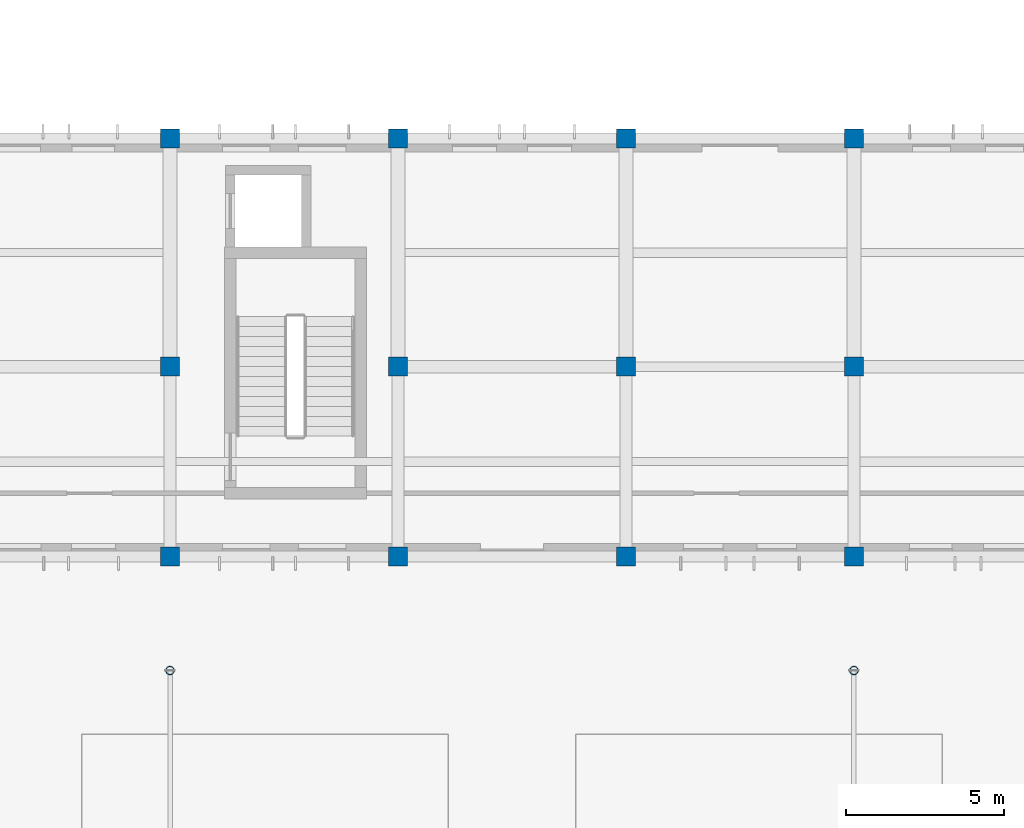
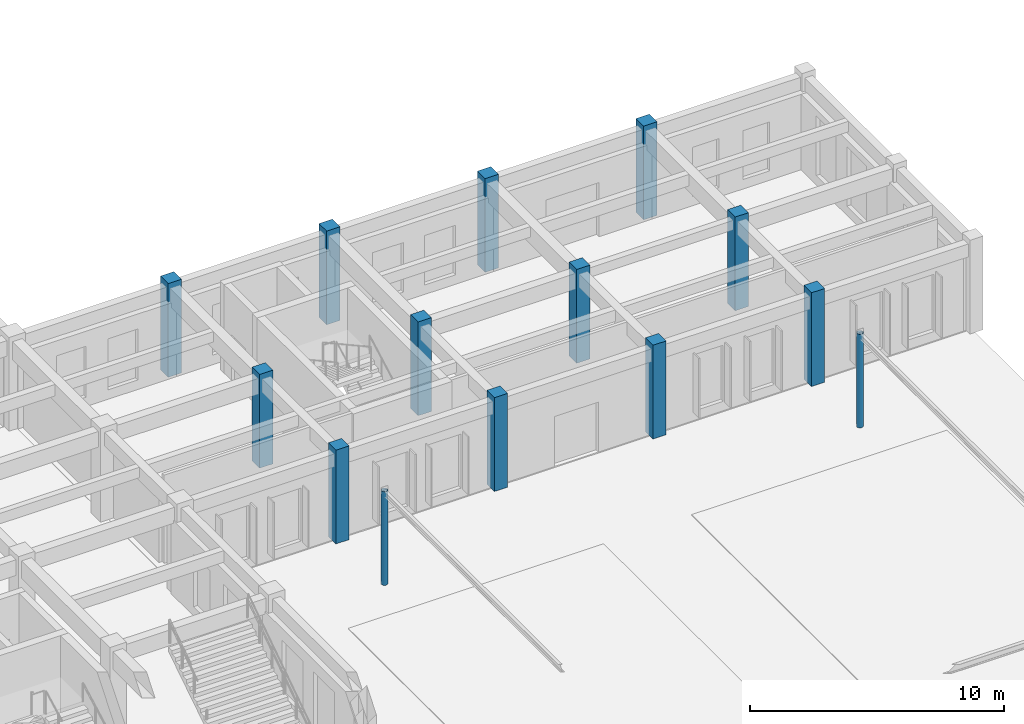
# One storey, part 6 of 43: 14 columns.
"""IFC4 building model written with IfcOpenShell, lengths in metres."""

from ifc_helpers import new_model, si_unit, direction, frame, origin, origin_2d, place, context, subcontext, project, spatial, rectangle, hollow_circle, extrude, material, material_profile, profile_set, type_object, element, save


model = new_model("IFC4")

# Units and contexts
model_context = context("Model", 3, precision=1e-05, world=origin(), true_north=direction((0.0, 1.0)))
body_context = subcontext(model_context, "Body", "Model", "MODEL_VIEW")
ifc_project = project(units=[si_unit("LENGTHUNIT", "METRE"), si_unit("AREAUNIT", "SQUARE_METRE"), si_unit("VOLUMEUNIT", "CUBIC_METRE"), si_unit("PLANEANGLEUNIT", "RADIAN"), si_unit("MASSUNIT", "GRAM", prefix="KILO")], contexts=[model_context])

# Site, building, storey
site_placement = place(None, origin())
site = spatial("IfcSite", under=ifc_project, at=site_placement, CompositionType="ELEMENT")
building_placement = place(site_placement, origin())
building = spatial("IfcBuilding", under=site, at=building_placement, Name="Alvorim Cloister Faculty of Sciences", CompositionType="ELEMENT")
storey_placement = place(building_placement, origin())
storey = spatial("IfcBuildingStorey", under=building, at=storey_placement, Name="L00", CompositionType="ELEMENT", Elevation=0.0)

# Columns
ifc_material_1 = material(Name="Concrete C40", Category="concrete")
ifc_material_profile_1 = material_profile(ifc_material_1, rectangle(XDim=0.60009765625, YDim=0.60009765625, at=origin_2d()), Name="RC40-COL-600x600")
ifc_profile_set_1 = profile_set([ifc_material_profile_1], Name="Concrete C40")
column_type_1 = type_object("IfcColumnType", Name="COL-RC-600", PredefinedType="COLUMN", material=ifc_profile_set_1)
for number, where, z_axis, x_axis, name in (
    (1, (36.0, 43.199951171875, 0.0), (0.0, 0.0, 1.0), (1.0, 0.0, 0.0), "L00 Column COL-0287"),
    (2, (36.0, 49.199951171875, 0.0), (0.0, 0.0, 1.0), (1.0, 0.0, 0.0), "L00 Column COL-0288"),
    (3, (36.0, 56.39990234375, 0.0), (0.0, 0.0, 1.0), (1.0, 0.0, 0.0), "L00 Column COL-0289"),
    (4, (43.199951171875, 43.199951171875, 0.0), (0.0, 0.0, 1.0), (1.0, 0.0, 0.0), "L00 Column COL-0293"),
    (5, (43.199951171875, 49.199951171875, 0.0), (0.0, 0.0, 1.0), (1.0, 0.0, 0.0), "L00 Column COL-0294"),
    (6, (43.199951171875, 56.39990234375, 0.0), (0.0, 0.0, 1.0), (1.0, 0.0, 0.0), "L00 Column COL-0295"),
    (7, (50.39990234375, 43.199951171875, 0.0), (0.0, 0.0, 1.0), (1.0, 0.0, 0.0), "L00 Column COL-0299"),
    (8, (50.39990234375, 49.199951171875, 0.0), (0.0, 0.0, 1.0), (1.0, 0.0, 0.0), "L00 Column COL-0300"),
    (9, (50.39990234375, 56.39990234375, 0.0), (0.0, 0.0, 1.0), (1.0, 0.0, 0.0), "L00 Column COL-0301"),
    (10, (57.60009765625, 43.199951171875, 0.0), (0.0, 0.0, 1.0), (1.0, 0.0, 0.0), "L00 Column COL-0305"),
    (11, (57.60009765625, 49.199951171875, 0.0), (0.0, 0.0, 1.0), (1.0, 0.0, 0.0), "L00 Column COL-0306"),
    (12, (57.60009765625, 56.39990234375, 0.0), (0.0, 0.0, 1.0), (1.0, 0.0, 0.0), "L00 Column COL-0307"),
):
    element("IfcColumn", number, at=place(storey_placement, frame(where, z_axis=z_axis, x_axis=x_axis)), inside=storey, type_object=column_type_1, Name=name, PredefinedType="COLUMN", context=body_context, shape_type="SweptSolid", body=[
        extrude(rectangle(XDim=0.60009765625, YDim=0.60009765625, at=origin_2d()), origin(), (0.0, 0.0, 1.0), 4.5),
    ])
ifc_material_2 = material(Name="Steel ASTM A572 Grade 50", Category="steel")
ifc_material_profile_2 = material_profile(ifc_material_2, hollow_circle(Radius=0.136474609375, WallThickness=0.012451171875, at=origin_2d()), Name="CHS273x12.5")
ifc_profile_set_2 = profile_set([ifc_material_profile_2], Name="Steel ASTM A572 Grade 50")
column_type_2 = type_object("IfcColumnType", Name="COL-STL-CHS273", PredefinedType="COLUMN", material=ifc_profile_set_2)
for number, where, z_axis, x_axis, name in (
    (13, (36.0, 39.60009765625, 0.0), (0.0, 0.0, 1.0), (1.0, 0.0, 0.0), "Canopy and Arcade Column COL-1118"),
    (14, (57.60009765625, 39.60009765625, 0.0), (0.0, 0.0, 1.0), (1.0, 0.0, 0.0), "Canopy and Arcade Column COL-1120"),
):
    element("IfcColumn", number, at=place(storey_placement, frame(where, z_axis=z_axis, x_axis=x_axis)), inside=storey, type_object=column_type_2, Name=name, PredefinedType="COLUMN", context=body_context, shape_type="SweptSolid", body=[
        extrude(hollow_circle(Radius=0.136474609375, WallThickness=0.012451171875, at=origin_2d()), origin(), (0.0, 0.0, 1.0), 4.5),
    ])

save(model, "model.ifc")
